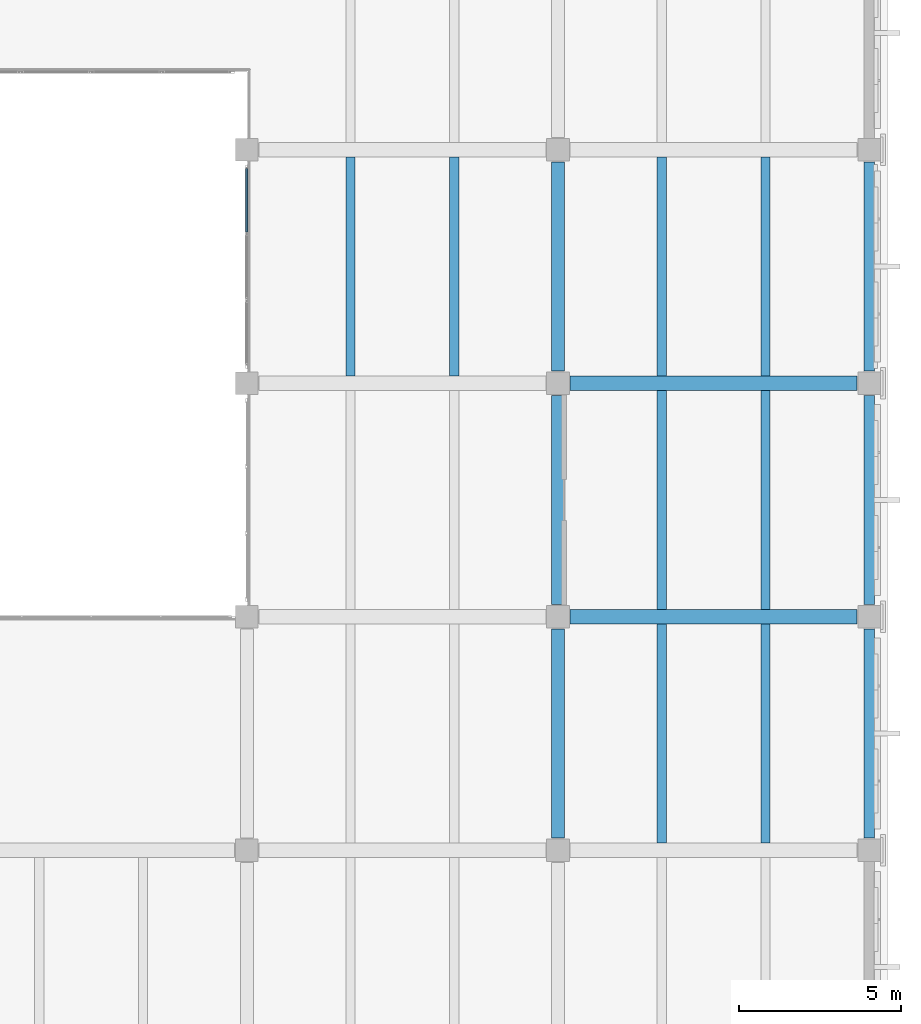
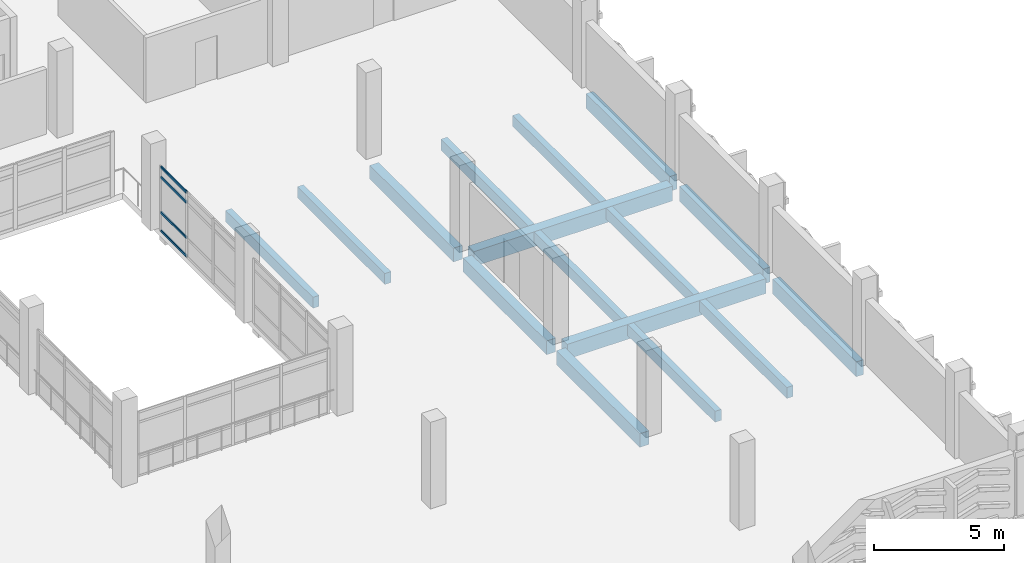
# One storey, part 117 of 180: 16 beams, 4 members, 1 element without a shape of its own.
"""IFC4 building model written with IfcOpenShell, lengths in metres."""

from ifc_helpers import new_model, si_unit, direction, frame, origin, origin_2d, place, context, subcontext, project, spatial, rectangle, hollow_rectangle, extrude, material, layer, layer_set, material_profile, profile_set, type_object, element, aggregate, save


model = new_model("IFC4")

# Units and contexts
model_context = context("Model", 3, precision=1e-05, world=origin(), true_north=direction((0.0, 1.0)))
body_context = subcontext(model_context, "Body", "Model", "MODEL_VIEW")
ifc_project = project(units=[si_unit("LENGTHUNIT", "METRE"), si_unit("AREAUNIT", "SQUARE_METRE"), si_unit("VOLUMEUNIT", "CUBIC_METRE"), si_unit("PLANEANGLEUNIT", "RADIAN"), si_unit("MASSUNIT", "GRAM", prefix="KILO")], contexts=[model_context])

# Site, building, storey
site_placement = place(None, origin())
site = spatial("IfcSite", under=ifc_project, at=site_placement, CompositionType="ELEMENT")
building_placement = place(site_placement, origin())
building = spatial("IfcBuilding", under=site, at=building_placement, Name="Asteropetra Specialist Clinic", CompositionType="ELEMENT")
storey_placement = place(building_placement, frame((0.0, 0.0, 4.419921875)))
storey = spatial("IfcBuildingStorey", under=building, at=storey_placement, Name="L01", CompositionType="ELEMENT", Elevation=4.419921875)

# Beams
ifc_material_1 = material(Name="Concrete C35/45", Category="concrete")
ifc_material_profile_1 = material_profile(ifc_material_1, rectangle(XDim=0.39990234375, YDim=0.64990234375, at=origin_2d()), Name="RCB 400x650")
ifc_profile_set_1 = profile_set([ifc_material_profile_1], Name="Concrete C35/45")
beam_type_1 = type_object("IfcBeamType", Name="BM-RC400x650", PredefinedType="BEAM", material=ifc_profile_set_1)
for number, where, z_axis, x_axis, name in (
    (1, (144.0, 12.375, -0.625), (0.0, 1.0, 0.0), (-1.0, 0.0, 0.0), "Beam BBM07-0477"),
    (2, (144.0, 19.574951171875, -0.625), (0.0, 1.0, 0.0), (-1.0, 0.0, 0.0), "Beam BBM07-0487"),
):
    element("IfcBeam", number, at=place(storey_placement, frame(where, z_axis=z_axis, x_axis=x_axis)), inside=storey, type_object=beam_type_1, Name=name, PredefinedType="BEAM", context=body_context, shape_type="SweptSolid", body=[
        extrude(rectangle(XDim=0.39990234375, YDim=0.64990234375, at=origin_2d()), origin(), (0.0, 0.0, 1.0), 6.449951171875),
    ])
beam_1_placement = place(storey_placement, frame((144.0, 26.77490234375, -0.625), z_axis=(0.0, 1.0, 0.0), x_axis=(-1.0, 0.0, 0.0)))
element("IfcBeam", 3, at=beam_1_placement, inside=storey, type_object=beam_type_1, Name="Beam BBM07-0499", PredefinedType="BEAM", context=body_context, shape_type="SweptSolid", body=[
    extrude(rectangle(XDim=0.39990234375, YDim=0.64990234375, at=origin_2d()), origin(), (0.0, 0.0, 1.0), 6.4501953125),
])
ifc_material_2 = material(Name="Concrete C35/45", Category="concrete")
ifc_material_profile_2 = material_profile(ifc_material_2, rectangle(XDim=0.449951171875, YDim=0.699951171875, at=origin_2d()), Name="RCB 450x700")
ifc_profile_set_2 = profile_set([ifc_material_profile_2], Name="Concrete C35/45")
beam_type_2 = type_object("IfcBeamType", Name="BM-RC450x700", PredefinedType="BEAM", material=ifc_profile_set_2)
for number, where, z_axis, x_axis, name in (
    (4, (144.375, 19.199951171875, -0.64990234375), (1.0, 0.0, 0.0), (0.0, 1.0, 0.0), "Beam BBM05-0412"),
    (5, (144.375, 26.39990234375, -0.64990234375), (1.0, 0.0, 0.0), (0.0, 1.0, 0.0), "Beam BBM05-0416"),
):
    element("IfcBeam", number, at=place(storey_placement, frame(where, z_axis=z_axis, x_axis=x_axis)), inside=storey, type_object=beam_type_2, Name=name, PredefinedType="BEAM", context=body_context, shape_type="SweptSolid", body=[
        extrude(rectangle(XDim=0.449951171875, YDim=0.699951171875, at=origin_2d()), origin(), (0.0, 0.0, 1.0), 8.85009765625),
    ])

# Curtain wall, members
ifc_material_3 = material(Name="Aluminium and low-E glass", Category="aluminium")
ifc_layer = layer(ifc_material_3, 0.135009765625)
ifc_layer_set = layer_set([ifc_layer], Name="Aluminium and low-E glass")
curtain_wall_type = type_object("IfcCurtainWallType", Name="CW-SYS-12", PredefinedType="USERDEFINED", material=ifc_layer_set)
curtain_wall_placement = place(storey_placement, origin())
curtain_wall = element("IfcCurtainWall", 6, at=curtain_wall_placement, inside=storey, type_object=curtain_wall_type, Name="Curtain Wall CW-076", ObjectType="STICK GLAZED COLONNADE", PredefinedType="USERDEFINED")
ifc_material_4 = material(Name="Aluminium 6063-T6", Category="aluminium")
ifc_material_profile_3 = material_profile(ifc_material_4, hollow_rectangle(XDim=0.06494140625, YDim=0.1201171875, WallThickness=0.00390625, InnerFilletRadius=0.00390625, OuterFilletRadius=0.008056640625, at=origin_2d()), Name="TRN 120x65x4.0")
ifc_profile_set_3 = profile_set([ifc_material_profile_3], Name="Aluminium 6063-T6")
member_type = type_object("IfcMemberType", Name="CWT-120x65", PredefinedType="USERDEFINED", material=ifc_profile_set_3)
member_1_placement = place(storey_placement, frame((134.39990234375, 31.0625, 0.032470703125), z_axis=(0.0, 1.0, 0.0), x_axis=(-1.0, 0.0, 0.0)))
member_1 = element("IfcMember", 7, at=member_1_placement, type_object=member_type, Name="CW-076 transom 3.1", ObjectType="TRANSOM", PredefinedType="USERDEFINED", context=body_context, shape_type="SweptSolid", body=[
    extrude(hollow_rectangle(XDim=0.06494140625, YDim=0.1201171875, WallThickness=0.00390625, InnerFilletRadius=0.00390625, OuterFilletRadius=0.008056640625, at=origin_2d()), origin(), (0.0, 0.0, 1.0), 1.96240234375),
])
member_2_placement = place(storey_placement, frame((134.39990234375, 31.0625, 0.900146484375), z_axis=(0.0, 1.0, 0.0), x_axis=(-1.0, 0.0, 0.0)))
member_2 = element("IfcMember", 8, at=member_2_placement, type_object=member_type, Name="CW-076 transom 3.2", ObjectType="TRANSOM", PredefinedType="USERDEFINED", context=body_context, shape_type="SweptSolid", body=[
    extrude(hollow_rectangle(XDim=0.06494140625, YDim=0.1201171875, WallThickness=0.00390625, InnerFilletRadius=0.00390625, OuterFilletRadius=0.008056640625, at=origin_2d()), origin(), (0.0, 0.0, 1.0), 1.96240234375),
])
member_3_placement = place(storey_placement, frame((134.39990234375, 31.0625, 2.56005859375), z_axis=(0.0, 1.0, 0.0), x_axis=(-1.0, 0.0, 0.0)))
member_3 = element("IfcMember", 9, at=member_3_placement, type_object=member_type, Name="CW-076 transom 3.3", ObjectType="TRANSOM", PredefinedType="USERDEFINED", context=body_context, shape_type="SweptSolid", body=[
    extrude(hollow_rectangle(XDim=0.06494140625, YDim=0.1201171875, WallThickness=0.00390625, InnerFilletRadius=0.00390625, OuterFilletRadius=0.008056640625, at=origin_2d()), origin(), (0.0, 0.0, 1.0), 1.96240234375),
])
member_4_placement = place(storey_placement, frame((134.39990234375, 31.0625, 3.027587890625), z_axis=(0.0, 1.0, 0.0), x_axis=(-1.0, 0.0, 0.0)))
member_4 = element("IfcMember", 10, at=member_4_placement, type_object=member_type, Name="CW-076 transom 3.4", ObjectType="TRANSOM", PredefinedType="USERDEFINED", context=body_context, shape_type="SweptSolid", body=[
    extrude(hollow_rectangle(XDim=0.06494140625, YDim=0.1201171875, WallThickness=0.00390625, InnerFilletRadius=0.00390625, OuterFilletRadius=0.008056640625, at=origin_2d()), origin(), (0.0, 0.0, 1.0), 1.96240234375),
])
aggregate(curtain_wall, [member_1, member_2, member_3, member_4])

# Beams
ifc_material_5 = material(Name="Concrete C35/45", Category="concrete")
ifc_material_profile_4 = material_profile(ifc_material_5, rectangle(XDim=0.280029296875, YDim=0.52001953125, at=origin_2d()), Name="RCJ 280x520")
ifc_profile_set_4 = profile_set([ifc_material_profile_4], Name="Concrete C35/45")
beam_type_3 = type_object("IfcBeamType", Name="JST-RC280x520", PredefinedType="JOIST", material=ifc_profile_set_4)
for number, where, z_axis, x_axis, name in (
    (11, (147.199951171875, 12.22509765625, -0.559814453125), (0.0, 1.0, 0.0), (-1.0, 0.0, 0.0), "Joist JJST01-0483"),
    (12, (150.39990234375, 12.22509765625, -0.559814453125), (0.0, 1.0, 0.0), (-1.0, 0.0, 0.0), "Joist JJST01-0484"),
    (13, (147.199951171875, 19.425048828125, -0.559814453125), (0.0, 1.0, 0.0), (-1.0, 0.0, 0.0), "Joist JJST01-0495"),
    (14, (150.39990234375, 19.425048828125, -0.559814453125), (0.0, 1.0, 0.0), (-1.0, 0.0, 0.0), "Joist JJST01-0496"),
    (15, (137.60009765625, 26.625, -0.559814453125), (0.0, 1.0, 0.0), (-1.0, 0.0, 0.0), "Joist JJST01-0505"),
    (16, (140.800048828125, 26.625, -0.559814453125), (0.0, 1.0, 0.0), (-1.0, 0.0, 0.0), "Joist JJST01-0506"),
    (17, (147.199951171875, 26.625, -0.559814453125), (0.0, 1.0, 0.0), (-1.0, 0.0, 0.0), "Joist JJST01-0507"),
    (18, (150.39990234375, 26.625, -0.559814453125), (0.0, 1.0, 0.0), (-1.0, 0.0, 0.0), "Joist JJST01-0508"),
):
    element("IfcBeam", number, at=place(storey_placement, frame(where, z_axis=z_axis, x_axis=x_axis)), inside=storey, type_object=beam_type_3, Name=name, PredefinedType="JOIST", context=body_context, shape_type="SweptSolid", body=[
        extrude(rectangle(XDim=0.280029296875, YDim=0.52001953125, at=origin_2d()), origin(), (0.0, 0.0, 1.0), 6.75),
    ])
ifc_material_6 = material(Name="Concrete C35/45", Category="concrete")
ifc_material_profile_5 = material_profile(ifc_material_6, rectangle(XDim=0.320068359375, YDim=0.699951171875, at=origin_2d()), Name="RCS 320x700")
ifc_profile_set_5 = profile_set([ifc_material_profile_5], Name="Concrete C35/45")
beam_type_4 = type_object("IfcBeamType", Name="SPN-RC320x700", PredefinedType="SPANDREL", material=ifc_profile_set_5)
for number, where, z_axis, x_axis, name in (
    (19, (153.60009765625, 12.375, -0.64990234375), (0.0, 1.0, 0.0), (-1.0, 0.0, 0.0), "Beam BSPN02-0478"),
    (20, (153.60009765625, 19.574951171875, -0.64990234375), (0.0, 1.0, 0.0), (-1.0, 0.0, 0.0), "Beam BSPN02-0488"),
):
    element("IfcBeam", number, at=place(storey_placement, frame(where, z_axis=z_axis, x_axis=x_axis)), inside=storey, type_object=beam_type_4, Name=name, PredefinedType="SPANDREL", context=body_context, shape_type="SweptSolid", body=[
        extrude(rectangle(XDim=0.320068359375, YDim=0.699951171875, at=origin_2d()), origin(), (0.0, 0.0, 1.0), 6.449951171875),
    ])
beam_2_placement = place(storey_placement, frame((153.60009765625, 26.77490234375, -0.64990234375), z_axis=(0.0, 1.0, 0.0), x_axis=(-1.0, 0.0, 0.0)))
element("IfcBeam", 21, at=beam_2_placement, inside=storey, type_object=beam_type_4, Name="Beam BSPN02-0500", PredefinedType="SPANDREL", context=body_context, shape_type="SweptSolid", body=[
    extrude(rectangle(XDim=0.320068359375, YDim=0.699951171875, at=origin_2d()), origin(), (0.0, 0.0, 1.0), 6.4501953125),
])

save(model, "model.ifc")
